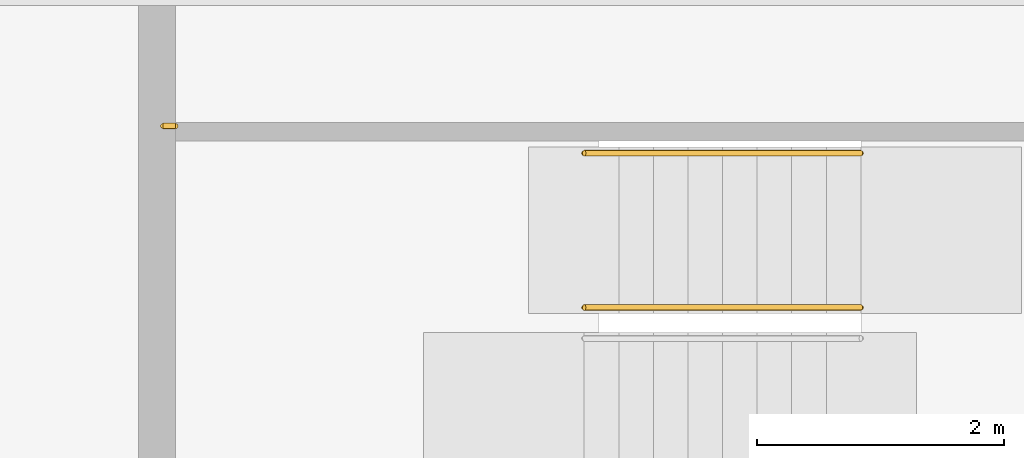
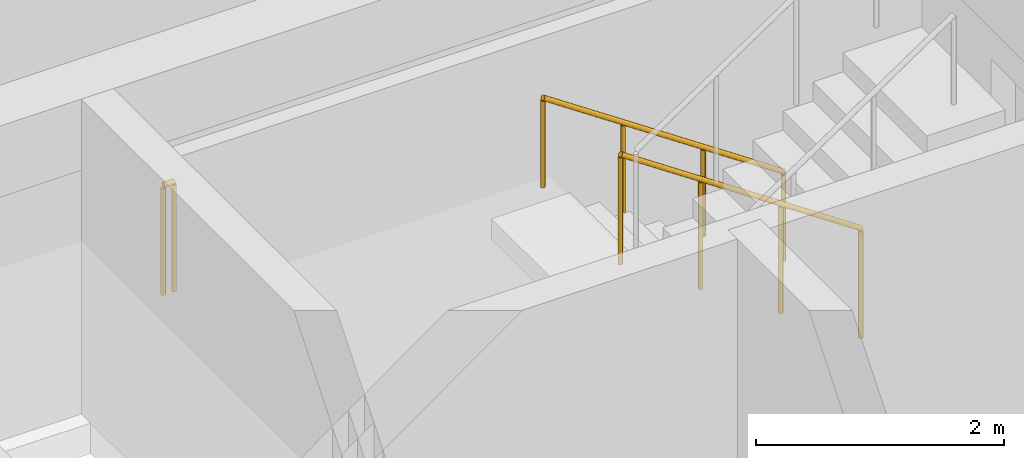
# One storey, part 11 of 12: 3 railings.
"""IFC4 building model written with IfcOpenShell, lengths in metres."""

from ifc_helpers import new_model, si_unit, direction, frame, origin, origin_2d, place, context, subcontext, project, spatial, circle, extrude, material, type_object, element, save


model = new_model("IFC4")

# Units and contexts
model_context = context("Model", 3, precision=1e-05, world=origin(), true_north=direction((0.0, 1.0)))
body_context = subcontext(model_context, "Body", "Model", "MODEL_VIEW")
ifc_project = project(units=[si_unit("LENGTHUNIT", "METRE"), si_unit("AREAUNIT", "SQUARE_METRE"), si_unit("VOLUMEUNIT", "CUBIC_METRE"), si_unit("PLANEANGLEUNIT", "RADIAN"), si_unit("MASSUNIT", "GRAM", prefix="KILO")], contexts=[model_context])

# Site, building, storey
site_placement = place(None, origin())
site = spatial("IfcSite", under=ifc_project, at=site_placement, CompositionType="ELEMENT")
building_placement = place(site_placement, origin())
building = spatial("IfcBuilding", under=site, at=building_placement, Name="Windrow Commons", CompositionType="ELEMENT")
storey_placement = place(building_placement, frame((0.0, 0.0, 210.0)))
storey = spatial("IfcBuildingStorey", under=building, at=storey_placement, Name="L57", CompositionType="ELEMENT", Elevation=210.0)

# Railings
ifc_material_1 = material(Name="Steel S355", Category="steel")
railing_type_1 = type_object("IfcRailingType", Name="Core stair guard 1100", PredefinedType="GUARDRAIL", material=ifc_material_1)
railing_1_placement = place(storey_placement, frame((70.5, 62.355, 0.1889)))
element("IfcRailing", 1, at=railing_1_placement, inside=storey, type_object=railing_type_1, Name="L57 ST-A2 stair guard 1", PredefinedType="GUARDRAIL", context=body_context, shape_type="SweptSolid", body=[
    extrude(circle(Radius=0.024, at=origin_2d()), frame((0.0, 0.0, 1.076), z_axis=(-0.8290030985, 0.0, 0.5592440099), x_axis=(0.0, -1.0, 0.0)), (0.0, 0.0, 1.0), 2.702),
    extrude(circle(Radius=0.021, at=origin_2d()), origin(), (0.0, 0.0, 1.0), 1.052),
    extrude(circle(Radius=0.021, at=origin_2d()), frame((-0.7467, 0.0, 0.5037)), (0.0, 0.0, 1.0), 1.052),
    extrude(circle(Radius=0.021, at=origin_2d()), frame((-1.4933, 0.0, 1.0074)), (0.0, 0.0, 1.0), 1.052),
    extrude(circle(Radius=0.021, at=origin_2d()), frame((-2.24, 0.0, 1.5111)), (0.0, 0.0, 1.0), 1.052),
])
railing_2_placement = place(storey_placement, frame((64.95, 63.825, 1.7)))
element("IfcRailing", 2, at=railing_2_placement, inside=storey, type_object=railing_type_1, Name="L57 ST-A2 stair guard 3", PredefinedType="GUARDRAIL", context=body_context, shape_type="SweptSolid", body=[
    extrude(circle(Radius=0.024, at=origin_2d()), frame((0.0, 0.0, 1.076), z_axis=(-1.0, 0.0, 0.0), x_axis=(0.0, -1.0, 0.0)), (0.0, 0.0, 1.0), 0.1),
    extrude(circle(Radius=0.021, at=origin_2d()), origin(), (0.0, 0.0, 1.0), 1.052),
    extrude(circle(Radius=0.021, at=origin_2d()), frame((-0.1, 0.0, 0.0)), (0.0, 0.0, 1.0), 1.052),
])
ifc_material_2 = material(Name="Steel S355", Category="steel")
railing_type_2 = type_object("IfcRailingType", Name="Core stair handrail 900", PredefinedType="HANDRAIL", material=ifc_material_2)
railing_3_placement = place(storey_placement, frame((70.5, 63.605, 0.1889)))
element("IfcRailing", 3, at=railing_3_placement, inside=storey, type_object=railing_type_2, Name="L57 ST-A2 stair handrail 1", PredefinedType="HANDRAIL", context=body_context, shape_type="SweptSolid", body=[
    extrude(circle(Radius=0.024, at=origin_2d()), frame((0.0, 0.0, 0.876), z_axis=(-0.8290030985, 0.0, 0.5592440099), x_axis=(0.0, -1.0, 0.0)), (0.0, 0.0, 1.0), 2.702),
    extrude(circle(Radius=0.021, at=origin_2d()), origin(), (0.0, 0.0, 1.0), 0.852),
    extrude(circle(Radius=0.021, at=origin_2d()), frame((-0.7467, 0.0, 0.5037)), (0.0, 0.0, 1.0), 0.852),
    extrude(circle(Radius=0.021, at=origin_2d()), frame((-1.4933, 0.0, 1.0074)), (0.0, 0.0, 1.0), 0.852),
    extrude(circle(Radius=0.021, at=origin_2d()), frame((-2.24, 0.0, 1.5111)), (0.0, 0.0, 1.0), 0.852),
])

save(model, "model.ifc")
